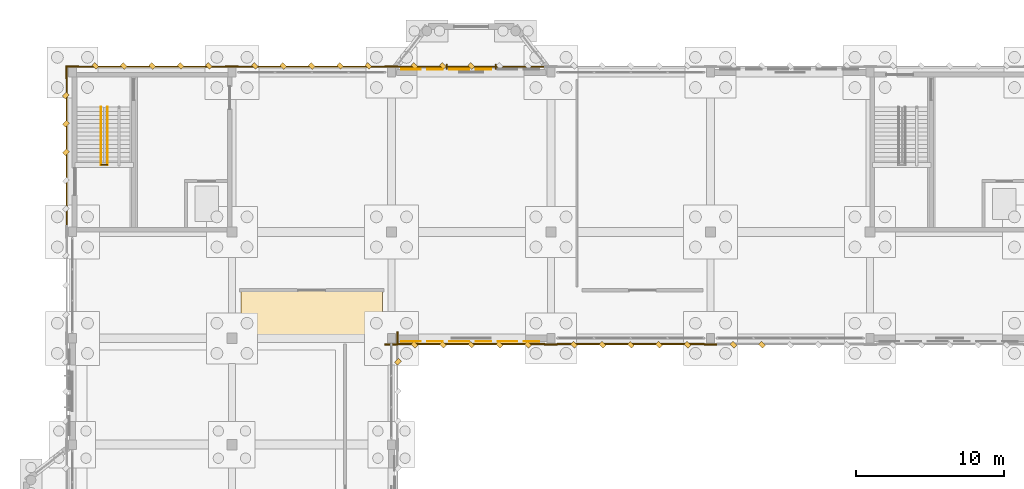
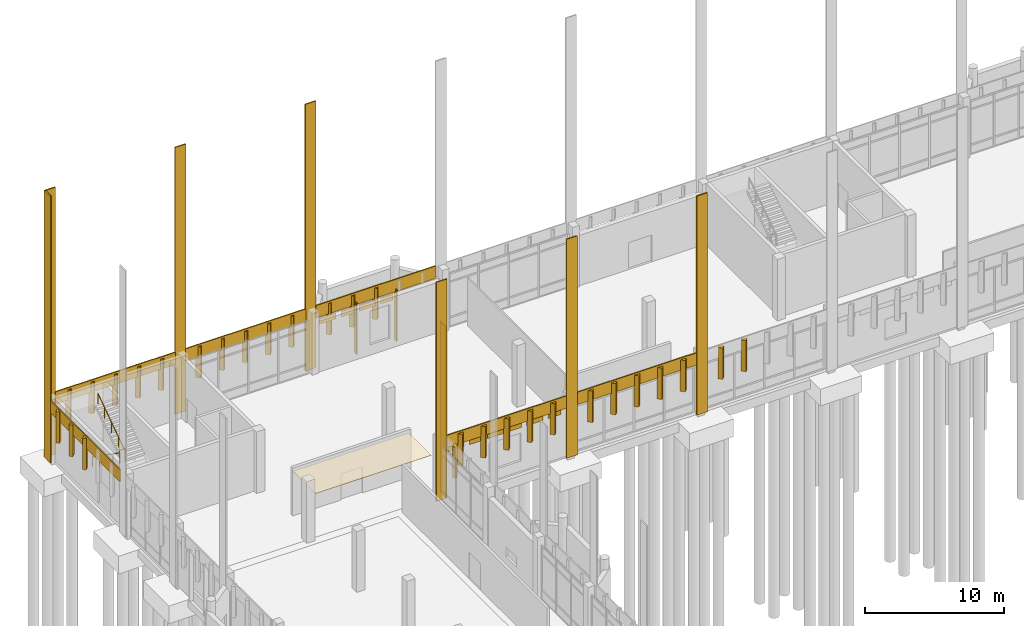
# One storey, part 101 of 109: 56 coverings, 3 railings.
"""IFC4 building model written with IfcOpenShell, lengths in metres."""

from ifc_helpers import new_model, si_unit, direction, frame, origin, origin_2d, place, context, subcontext, project, spatial, polyline, rectangle, circle, outline, extrude, material, layer, layer_set, type_object, element, save


model = new_model("IFC4")

# Units and contexts
model_context = context("Model", 3, precision=1e-05, world=origin(), true_north=direction((0.0, 1.0)))
body_context = subcontext(model_context, "Body", "Model", "MODEL_VIEW")
ifc_project = project(units=[si_unit("LENGTHUNIT", "METRE"), si_unit("AREAUNIT", "SQUARE_METRE"), si_unit("VOLUMEUNIT", "CUBIC_METRE"), si_unit("PLANEANGLEUNIT", "RADIAN"), si_unit("MASSUNIT", "GRAM", prefix="KILO")], contexts=[model_context])

# Site, building, storey
site_placement = place(None, origin())
site = spatial("IfcSite", under=ifc_project, at=site_placement, CompositionType="ELEMENT")
building_placement = place(site_placement, origin())
building = spatial("IfcBuilding", under=site, at=building_placement, Name="Lusvemor Sports Hall", CompositionType="ELEMENT")
storey_placement = place(building_placement, origin())
storey = spatial("IfcBuildingStorey", under=building, at=storey_placement, Name="L00", CompositionType="ELEMENT", Elevation=0.0)

# Coverings
ifc_material_1 = material(Name="Precast granite-faced Concrete C40/50 architectural cladding", Category="masonry")
ifc_layer_1 = layer(ifc_material_1, 0.055908203125)
ifc_layer_set_1 = layer_set([ifc_layer_1], Name="Precast granite-faced Concrete C40/50 architectural cladding")
covering_type_1 = type_object("IfcCoveringType", Name="CLAD_RELIEF_FRIEZE", PredefinedType="CLADDING", material=ifc_layer_set_1)
for number, where, z_axis, x_axis, name in (
    (1, (0.0, 115.610107421875, 0.0), (0.0, 0.0, 1.0), (1.0, 0.0, 0.0), "Art Nouveau Pilaster Cladding Casing 489"),
    (2, (10.800048828125, 115.610107421875, 0.0), (0.0, 0.0, 1.0), (1.0, 0.0, 0.0), "Art Nouveau Pilaster Cladding Casing 490"),
    (3, (21.60009765625, 115.610107421875, 0.0), (0.0, 0.0, 1.0), (1.0, 0.0, 0.0), "Art Nouveau Pilaster Cladding Casing 491"),
):
    element("IfcCovering", number, at=place(storey_placement, frame(where, z_axis=z_axis, x_axis=x_axis)), inside=storey, type_object=covering_type_1, Name=name, PredefinedType="CLADDING", context=body_context, shape_type="SweptSolid", body=[
        extrude(rectangle(XDim=0.8798828125, YDim=0.10009765625, at=origin_2d()), origin(), (0.0, 0.0, 1.0), 23.39990234375),
    ])
covering_1_placement = place(storey_placement, frame((-0.409912109375, 115.199951171875, 0.0), z_axis=(0.0, 0.0, 1.0), x_axis=(1.0, 0.0, 0.0)))
element("IfcCovering", 4, at=covering_1_placement, inside=storey, type_object=covering_type_1, Name="Art Nouveau Pilaster Cladding Casing 1099", PredefinedType="CLADDING", context=body_context, shape_type="SweptSolid", body=[
    extrude(rectangle(XDim=0.10009765625, YDim=0.8798828125, at=origin_2d()), origin(), (0.0, 0.0, 1.0), 23.39990234375),
])
for number, where, z_axis, x_axis, name in (
    (5, (21.60009765625, 96.7900390625, 0.0), (0.0, 0.0, 1.0), (1.0, 0.0, 0.0), "Art Nouveau Pilaster Cladding Casing 1151"),
    (6, (32.39990234375, 96.7900390625, 0.0), (0.0, 0.0, 1.0), (1.0, 0.0, 0.0), "Art Nouveau Pilaster Cladding Casing 1152"),
    (7, (43.199951171875, 96.7900390625, 0.0), (0.0, 0.0, 1.0), (1.0, 0.0, 0.0), "Art Nouveau Pilaster Cladding Casing 1153"),
):
    element("IfcCovering", number, at=place(storey_placement, frame(where, z_axis=z_axis, x_axis=x_axis)), inside=storey, type_object=covering_type_1, Name=name, PredefinedType="CLADDING", context=body_context, shape_type="SweptSolid", body=[
        extrude(rectangle(XDim=0.8798828125, YDim=0.10009765625, at=origin_2d()), origin(), (0.0, 0.0, 1.0), 19.199951171875),
    ])
covering_2_placement = place(storey_placement, frame((22.010009765625, 97.199951171875, 0.0), z_axis=(0.0, 0.0, 1.0), x_axis=(1.0, 0.0, 0.0)))
element("IfcCovering", 8, at=covering_2_placement, inside=storey, type_object=covering_type_1, Name="Art Nouveau Pilaster Cladding Casing 1386", PredefinedType="CLADDING", context=body_context, shape_type="SweptSolid", body=[
    extrude(rectangle(XDim=0.10009765625, YDim=0.8798828125, at=origin_2d()), origin(), (0.0, 0.0, 1.0), 15.0),
])
ifc_material_2 = material(Name="Emerald polychrome glazed ceramic cladding on Concrete C40/50 backing", Category="concrete")
ifc_layer_2 = layer(ifc_material_2, 0.0458984375)
ifc_layer_set_2 = layer_set([ifc_layer_2], Name="Emerald polychrome glazed ceramic cladding on Concrete C40/50 backing")
covering_type_2 = type_object("IfcCoveringType", Name="CLAD_WAVE_EMERALD", PredefinedType="CLADDING", material=ifc_layer_set_2)
for number, where, z_axis, x_axis, name in (
    (9, (22.916748046875, 115.41796875, 3.8349609375), (0.0, 0.0, 1.0), (1.0, 0.0, 0.0), "Art Nouveau Patterned Cladding PS-EW-L00-N-1-2-1"),
    (10, (26.183349609375, 115.41796875, 3.8349609375), (0.0, 0.0, 1.0), (1.0, 0.0, 0.0), "Art Nouveau Patterned Cladding PS-EW-L00-N-1-2-3"),
    (11, (22.916748046875, 96.98193359375, 3.8349609375), (0.0, 0.0, 1.0), (1.0, 0.0, 0.0), "Art Nouveau Patterned Cladding PS-EW-L00-S-3-0-1"),
    (12, (26.183349609375, 96.98193359375, 3.8349609375), (0.0, 0.0, 1.0), (1.0, 0.0, 0.0), "Art Nouveau Patterned Cladding PS-EW-L00-S-3-0-3"),
    (13, (29.449951171875, 96.98193359375, 3.8349609375), (0.0, 0.0, 1.0), (1.0, 0.0, 0.0), "Art Nouveau Patterned Cladding PS-EW-L00-S-3-0-5"),
):
    element("IfcCovering", number, at=place(storey_placement, frame(where, z_axis=z_axis, x_axis=x_axis)), inside=storey, type_object=covering_type_2, Name=name, PredefinedType="CLADDING", context=body_context, shape_type="SweptSolid", body=[
        extrude(rectangle(XDim=1.33935546875, YDim=0.0458984375, at=origin_2d()), origin(), (0.0, 0.0, 1.0), 0.510009765625),
    ])
for number, where, z_axis, x_axis, name in (
    (14, (3.47998046875, 115.639892578125, 2.550048828125), (0.0, 0.0, 1.0), (0.707106781187, 0.707106781187, 0.0), "Patterned Diamond Cladding Rib 498"),
    (15, (7.320068359375, 115.639892578125, 2.550048828125), (0.0, 0.0, 1.0), (0.707106781187, 0.707106781187, 0.0), "Patterned Diamond Cladding Rib 500"),
    (16, (14.280029296875, 115.639892578125, 2.550048828125), (0.0, 0.0, 1.0), (0.707106781187, 0.707106781187, 0.0), "Patterned Diamond Cladding Rib 528"),
    (17, (18.1201171875, 115.639892578125, 2.550048828125), (0.0, 0.0, 1.0), (0.707106781187, 0.707106781187, 0.0), "Patterned Diamond Cladding Rib 530"),
    (18, (25.080078125, 115.639892578125, 2.550048828125), (0.0, 0.0, 1.0), (0.707106781187, 0.707106781187, 0.0), "Patterned Diamond Cladding Rib 558"),
):
    element("IfcCovering", number, at=place(storey_placement, frame(where, z_axis=z_axis, x_axis=x_axis)), inside=storey, type_object=covering_type_2, Name=name, PredefinedType="CLADDING", context=body_context, shape_type="SweptSolid", body=[
        extrude(rectangle(XDim=0.280029296875, YDim=0.3798828125, at=origin_2d()), origin(), (0.0, 0.0, 1.0), 2.75),
    ])
covering_3_placement = place(storey_placement, frame((-0.43994140625, 111.719970703125, 2.550048828125), z_axis=(0.0, 0.0, 1.0), x_axis=(0.707106781187, 0.707106781187, 0.0)))
element("IfcCovering", 19, at=covering_3_placement, inside=storey, type_object=covering_type_2, Name="Patterned Diamond Cladding Rib 1124", PredefinedType="CLADDING", context=body_context, shape_type="SweptSolid", body=[
    extrude(rectangle(XDim=0.3798828125, YDim=0.280029296875, at=origin_2d()), origin(), (0.0, 0.0, 1.0), 2.75),
])
for number, where, z_axis, x_axis, name in (
    (20, (25.080078125, 96.760009765625, 2.550048828125), (0.0, 0.0, 1.0), (0.707106781187, 0.707106781187, 0.0), "Patterned Diamond Cladding Rib 1164"),
    (21, (28.919921875, 96.760009765625, 2.550048828125), (0.0, 0.0, 1.0), (0.707106781187, 0.707106781187, 0.0), "Patterned Diamond Cladding Rib 1166"),
    (22, (35.8798828125, 96.760009765625, 2.550048828125), (0.0, 0.0, 1.0), (0.707106781187, 0.707106781187, 0.0), "Patterned Diamond Cladding Rib 1188"),
    (23, (39.719970703125, 96.760009765625, 2.550048828125), (0.0, 0.0, 1.0), (0.707106781187, 0.707106781187, 0.0), "Patterned Diamond Cladding Rib 1190"),
    (24, (46.679931640625, 96.760009765625, 2.550048828125), (0.0, 0.0, 1.0), (0.707106781187, 0.707106781187, 0.0), "Patterned Diamond Cladding Rib 1212"),
):
    element("IfcCovering", number, at=place(storey_placement, frame(where, z_axis=z_axis, x_axis=x_axis)), inside=storey, type_object=covering_type_2, Name=name, PredefinedType="CLADDING", context=body_context, shape_type="SweptSolid", body=[
        extrude(rectangle(XDim=0.280029296875, YDim=0.3798828125, at=origin_2d()), origin(), (0.0, 0.0, 1.0), 2.75),
    ])
ifc_material_3 = material(Name="Warm terracotta Art Nouveau ceramic cladding on Concrete C40/50 backing", Category="masonry")
ifc_layer_3 = layer(ifc_material_3, 0.0380859375)
ifc_layer_set_3 = layer_set([ifc_layer_3], Name="Warm terracotta Art Nouveau ceramic cladding on Concrete C40/50 backing")
covering_type_3 = type_object("IfcCoveringType", Name="CLAD_WAVE_OCHRE", PredefinedType="CLADDING", material=ifc_layer_set_3)
for number, where, z_axis, x_axis, name in (
    (25, (24.550048828125, 115.4140625, 3.8349609375), (0.0, 0.0, 1.0), (1.0, 0.0, 0.0), "Art Nouveau Patterned Cladding PS-EW-L00-N-1-2-2"),
    (26, (27.816650390625, 115.4140625, 3.8349609375), (0.0, 0.0, 1.0), (1.0, 0.0, 0.0), "Art Nouveau Patterned Cladding PS-EW-L00-N-1-2-4"),
    (27, (24.550048828125, 96.986083984375, 3.8349609375), (0.0, 0.0, 1.0), (1.0, 0.0, 0.0), "Art Nouveau Patterned Cladding PS-EW-L00-S-3-0-2"),
    (28, (27.816650390625, 96.986083984375, 3.8349609375), (0.0, 0.0, 1.0), (1.0, 0.0, 0.0), "Art Nouveau Patterned Cladding PS-EW-L00-S-3-0-4"),
    (29, (31.083251953125, 96.986083984375, 3.8349609375), (0.0, 0.0, 1.0), (1.0, 0.0, 0.0), "Art Nouveau Patterned Cladding PS-EW-L00-S-3-0-6"),
):
    element("IfcCovering", number, at=place(storey_placement, frame(where, z_axis=z_axis, x_axis=x_axis)), inside=storey, type_object=covering_type_3, Name=name, PredefinedType="CLADDING", context=body_context, shape_type="SweptSolid", body=[
        extrude(rectangle(XDim=1.04541015625, YDim=0.0380859375, at=origin_2d()), origin(), (0.0, 0.0, 1.0), 0.510009765625),
    ])
for number, where, z_axis, x_axis, name in (
    (30, (5.39990234375, 115.590087890625, 4.3798828125), (0.0, 0.0, 1.0), (1.0, 0.0, 0.0), "Art Nouveau Spandrel Cornice 496"),
    (31, (16.199951171875, 115.590087890625, 4.3798828125), (0.0, 0.0, 1.0), (1.0, 0.0, 0.0), "Art Nouveau Spandrel Cornice 526"),
    (32, (27.0, 115.590087890625, 4.3798828125), (0.0, 0.0, 1.0), (1.0, 0.0, 0.0), "Art Nouveau Spandrel Cornice 556"),
):
    element("IfcCovering", number, at=place(storey_placement, frame(where, z_axis=z_axis, x_axis=x_axis)), inside=storey, type_object=covering_type_3, Name=name, PredefinedType="CLADDING", context=body_context, shape_type="SweptSolid", body=[
        extrude(rectangle(XDim=9.97998046875, YDim=0.090087890625, at=origin_2d()), origin(), (0.0, 0.0, 1.0), 1.080078125),
    ])
covering_4_placement = place(storey_placement, frame((-0.389892578125, 109.800048828125, 4.3798828125), z_axis=(0.0, 0.0, 1.0), x_axis=(1.0, 0.0, 0.0)))
element("IfcCovering", 33, at=covering_4_placement, inside=storey, type_object=covering_type_3, Name="Art Nouveau Spandrel Cornice 1120", PredefinedType="CLADDING", context=body_context, shape_type="SweptSolid", body=[
    extrude(rectangle(XDim=0.090087890625, YDim=9.97998046875, at=origin_2d()), origin(), (0.0, 0.0, 1.0), 1.080078125),
])
for number, where, z_axis, x_axis, name in (
    (34, (27.0, 96.81005859375, 4.3798828125), (0.0, 0.0, 1.0), (1.0, 0.0, 0.0), "Art Nouveau Spandrel Cornice 1162"),
    (35, (37.800048828125, 96.81005859375, 4.3798828125), (0.0, 0.0, 1.0), (1.0, 0.0, 0.0), "Art Nouveau Spandrel Cornice 1186"),
):
    element("IfcCovering", number, at=place(storey_placement, frame(where, z_axis=z_axis, x_axis=x_axis)), inside=storey, type_object=covering_type_3, Name=name, PredefinedType="CLADDING", context=body_context, shape_type="SweptSolid", body=[
        extrude(rectangle(XDim=9.97998046875, YDim=0.090087890625, at=origin_2d()), origin(), (0.0, 0.0, 1.0), 1.080078125),
    ])
ifc_material_4 = material(Name="Perforated mineral-fibre acoustic suspended ceiling")
ifc_layer_4 = layer(ifc_material_4, 0.033935546875)
ifc_layer_set_4 = layer_set([ifc_layer_4], Name="Perforated mineral-fibre acoustic suspended ceiling")
covering_type_4 = type_object("IfcCoveringType", Name="COV_CEIL_ACOUST", PredefinedType="CEILING", material=ifc_layer_set_4)
covering_5_placement = place(storey_placement, frame((0.0, 0.0, 3.800048828125)))
element("IfcCovering", 36, at=covering_5_placement, inside=storey, type_object=covering_type_4, Name="Acoustic Ceiling 1", PredefinedType="CEILING", context=body_context, shape_type="SweptSolid", body=[
    extrude(outline(polyline([(11.39990234375, 97.199951171875), (21.0, 97.199951171875), (21.0, 100.449951171875), (11.39990234375, 100.449951171875), (11.39990234375, 97.199951171875)])), origin(), (0.0, 0.0, 1.0), 0.033935546875),
])
ifc_material_5 = material(Name="Emerald polychrome glazed ceramic cladding on Concrete C40/50 backing", Category="concrete")
ifc_layer_5 = layer(ifc_material_5, 0.35009765625)
ifc_layer_set_5 = layer_set([ifc_layer_5], Name="Emerald polychrome glazed ceramic cladding on Concrete C40/50 backing")
covering_type_5 = type_object("IfcCoveringType", Name="FIN_BRISE_CER_350", PredefinedType="MOLDING", material=ifc_layer_set_5)
for number, where, z_axis, x_axis, name in (
    (37, (25.340087890625, 115.580078125, 0.10009765625), (0.0, 0.0, 1.0), (1.0, 0.0, 0.0), "Wing Brise-Soleil Fin L00-N-1-2-1"),
    (38, (28.659912109375, 115.580078125, 0.10009765625), (0.0, 0.0, 1.0), (1.0, 0.0, 0.0), "Wing Brise-Soleil Fin L00-N-1-2-2"),
):
    element("IfcCovering", number, at=place(storey_placement, frame(where, z_axis=z_axis, x_axis=x_axis)), inside=storey, type_object=covering_type_5, Name=name, PredefinedType="MOLDING", context=body_context, shape_type="SweptSolid", body=[
        extrude(rectangle(XDim=0.080078125, YDim=0.35009765625, at=origin_2d()), origin(), (0.0, 0.0, 1.0), 4.52001953125),
    ])
ifc_material_6 = material(Name="Warm terracotta Art Nouveau ceramic cladding on Concrete C40/50 backing", Category="masonry")
ifc_layer_6 = layer(ifc_material_6, 0.449951171875)
ifc_layer_set_6 = layer_set([ifc_layer_6], Name="Warm terracotta Art Nouveau ceramic cladding on Concrete C40/50 backing")
covering_type_6 = type_object("IfcCoveringType", Name="FIN_BRISE_CER_450", PredefinedType="MOLDING", material=ifc_layer_set_6)
for number, where, z_axis, x_axis, name in (
    (39, (1.56005859375, 115.639892578125, 2.550048828125), (0.0, 0.0, 1.0), (0.707106781187, 0.707106781187, 0.0), "Patterned Diamond Cladding Rib 497"),
    (40, (5.39990234375, 115.639892578125, 2.550048828125), (0.0, 0.0, 1.0), (0.707106781187, 0.707106781187, 0.0), "Patterned Diamond Cladding Rib 499"),
    (41, (9.239990234375, 115.639892578125, 2.550048828125), (0.0, 0.0, 1.0), (0.707106781187, 0.707106781187, 0.0), "Patterned Diamond Cladding Rib 501"),
    (42, (12.360107421875, 115.639892578125, 2.550048828125), (0.0, 0.0, 1.0), (0.707106781187, 0.707106781187, 0.0), "Patterned Diamond Cladding Rib 527"),
    (43, (16.199951171875, 115.639892578125, 2.550048828125), (0.0, 0.0, 1.0), (0.707106781187, 0.707106781187, 0.0), "Patterned Diamond Cladding Rib 529"),
    (44, (20.0400390625, 115.639892578125, 2.550048828125), (0.0, 0.0, 1.0), (0.707106781187, 0.707106781187, 0.0), "Patterned Diamond Cladding Rib 531"),
    (45, (23.159912109375, 115.639892578125, 2.550048828125), (0.0, 0.0, 1.0), (0.707106781187, 0.707106781187, 0.0), "Patterned Diamond Cladding Rib 557"),
    (46, (27.0, 115.639892578125, 2.550048828125), (0.0, 0.0, 1.0), (0.707106781187, 0.707106781187, 0.0), "Patterned Diamond Cladding Rib 559"),
):
    element("IfcCovering", number, at=place(storey_placement, frame(where, z_axis=z_axis, x_axis=x_axis)), inside=storey, type_object=covering_type_6, Name=name, PredefinedType="MOLDING", context=body_context, shape_type="SweptSolid", body=[
        extrude(rectangle(XDim=0.280029296875, YDim=0.3798828125, at=origin_2d()), origin(), (0.0, 0.0, 1.0), 2.75),
    ])
for number, where, z_axis, x_axis, name in (
    (47, (-0.43994140625, 109.800048828125, 2.550048828125), (0.0, 0.0, 1.0), (0.707106781187, 0.707106781187, 0.0), "Patterned Diamond Cladding Rib 1123"),
    (48, (-0.43994140625, 113.639892578125, 2.550048828125), (0.0, 0.0, 1.0), (0.707106781187, 0.707106781187, 0.0), "Patterned Diamond Cladding Rib 1125"),
):
    element("IfcCovering", number, at=place(storey_placement, frame(where, z_axis=z_axis, x_axis=x_axis)), inside=storey, type_object=covering_type_6, Name=name, PredefinedType="MOLDING", context=body_context, shape_type="SweptSolid", body=[
        extrude(rectangle(XDim=0.3798828125, YDim=0.280029296875, at=origin_2d()), origin(), (0.0, 0.0, 1.0), 2.75),
    ])
for number, where, z_axis, x_axis, name in (
    (49, (23.159912109375, 96.760009765625, 2.550048828125), (0.0, 0.0, 1.0), (0.707106781187, 0.707106781187, 0.0), "Patterned Diamond Cladding Rib 1163"),
    (50, (27.0, 96.760009765625, 2.550048828125), (0.0, 0.0, 1.0), (0.707106781187, 0.707106781187, 0.0), "Patterned Diamond Cladding Rib 1165"),
    (51, (30.840087890625, 96.760009765625, 2.550048828125), (0.0, 0.0, 1.0), (0.707106781187, 0.707106781187, 0.0), "Patterned Diamond Cladding Rib 1167"),
    (52, (33.9599609375, 96.760009765625, 2.550048828125), (0.0, 0.0, 1.0), (0.707106781187, 0.707106781187, 0.0), "Patterned Diamond Cladding Rib 1187"),
    (53, (37.800048828125, 96.760009765625, 2.550048828125), (0.0, 0.0, 1.0), (0.707106781187, 0.707106781187, 0.0), "Patterned Diamond Cladding Rib 1189"),
    (54, (41.639892578125, 96.760009765625, 2.550048828125), (0.0, 0.0, 1.0), (0.707106781187, 0.707106781187, 0.0), "Patterned Diamond Cladding Rib 1191"),
    (55, (44.760009765625, 96.760009765625, 2.550048828125), (0.0, 0.0, 1.0), (0.707106781187, 0.707106781187, 0.0), "Patterned Diamond Cladding Rib 1211"),
):
    element("IfcCovering", number, at=place(storey_placement, frame(where, z_axis=z_axis, x_axis=x_axis)), inside=storey, type_object=covering_type_6, Name=name, PredefinedType="MOLDING", context=body_context, shape_type="SweptSolid", body=[
        extrude(rectangle(XDim=0.280029296875, YDim=0.3798828125, at=origin_2d()), origin(), (0.0, 0.0, 1.0), 2.75),
    ])
covering_6_placement = place(storey_placement, frame((22.0400390625, 95.60009765625, 2.550048828125), z_axis=(0.0, 0.0, 1.0), x_axis=(0.707106781187, 0.707106781187, 0.0)))
element("IfcCovering", 56, at=covering_6_placement, inside=storey, type_object=covering_type_6, Name="Patterned Diamond Cladding Rib 1462", PredefinedType="MOLDING", context=body_context, shape_type="SweptSolid", body=[
    extrude(rectangle(XDim=0.3798828125, YDim=0.280029296875, at=origin_2d()), origin(), (0.0, 0.0, 1.0), 2.75),
])

# Railings
ifc_material_7 = material(Name="Bronze-finished wrought-steel Art Nouveau balustrade", Category="steel")
railing_type_1 = type_object("IfcRailingType", Name="RAIL_HANDRAIL_092", PredefinedType="HANDRAIL", material=ifc_material_7)
railing_1_placement = place(storey_placement, frame((1.93994140625, 112.85009765625, 0.0)))
element("IfcRailing", 57, at=railing_1_placement, inside=storey, type_object=railing_type_1, Name="Stair STR-C1-L00 Handrail F1", PredefinedType="HANDRAIL", context=body_context, shape_type="SweptSolid", body=[
    extrude(circle(Radius=0.02392578125, at=origin_2d()), frame((0.0, 0.0, 0.89599609375), z_axis=(0.0, -0.823567234665, 0.567218661528), x_axis=(1.0, 0.0, 0.0)), (0.0, 0.0, 1.0), 4.760009765625),
    extrude(circle(Radius=0.02099609375, at=origin_2d()), origin(), (0.0, 0.0, 1.0), 0.871826171875),
    extrude(circle(Radius=0.02099609375, at=origin_2d()), frame((0.0, -0.97998046875, 0.675048828125)), (0.0, 0.0, 1.0), 0.871826171875),
    extrude(circle(Radius=0.02099609375, at=origin_2d()), frame((0.0, -1.9599609375, 1.35009765625)), (0.0, 0.0, 1.0), 0.871826171875),
    extrude(circle(Radius=0.02099609375, at=origin_2d()), frame((0.0, -2.940185546875, 2.02490234375)), (0.0, 0.0, 1.0), 0.871826171875),
    extrude(circle(Radius=0.02099609375, at=origin_2d()), frame((0.0, -3.920166015625, 2.699951171875)), (0.0, 0.0, 1.0), 0.871826171875),
])
railing_2_placement = place(storey_placement, frame((2.3798828125, 108.929931640625, 2.699951171875)))
element("IfcRailing", 58, at=railing_2_placement, inside=storey, type_object=railing_type_1, Name="Stair STR-C1-L00 Handrail F2", PredefinedType="HANDRAIL", context=body_context, shape_type="SweptSolid", body=[
    extrude(circle(Radius=0.02392578125, at=origin_2d()), frame((0.0, 0.0, 0.89599609375), z_axis=(0.0, 0.823567234665, 0.567218661528), x_axis=(-1.0, 0.0, 0.0)), (0.0, 0.0, 1.0), 4.760009765625),
    extrude(circle(Radius=0.02099609375, at=origin_2d()), origin(), (0.0, 0.0, 1.0), 0.871826171875),
    extrude(circle(Radius=0.02099609375, at=origin_2d()), frame((0.0, 0.97998046875, 0.675048828125)), (0.0, 0.0, 1.0), 0.871826171875),
    extrude(circle(Radius=0.02099609375, at=origin_2d()), frame((0.0, 1.9599609375, 1.35009765625)), (0.0, 0.0, 1.0), 0.871826171875),
    extrude(circle(Radius=0.02099609375, at=origin_2d()), frame((0.0, 2.940185546875, 2.02490234375)), (0.0, 0.0, 1.0), 0.871826171875),
    extrude(circle(Radius=0.02099609375, at=origin_2d()), frame((0.0, 3.920166015625, 2.699951171875)), (0.0, 0.0, 1.0), 0.871826171875),
])
ifc_material_8 = material(Name="Bronze-finished wrought-steel Art Nouveau balustrade", Category="steel")
railing_type_2 = type_object("IfcRailingType", Name="RAIL_STAIR_GUARD_112", PredefinedType="GUARDRAIL", material=ifc_material_8)
railing_3_placement = place(storey_placement, frame((1.93994140625, 108.949951171875, 2.699951171875)))
element("IfcRailing", 59, at=railing_3_placement, inside=storey, type_object=railing_type_2, Name="Stair STR-C1-L00 Mid Well Guard", PredefinedType="GUARDRAIL", context=body_context, shape_type="SweptSolid", body=[
    extrude(circle(Radius=0.02392578125, at=origin_2d()), frame((0.0, 0.0, 1.09619140625), z_axis=(1.0, 0.0, 0.0), x_axis=(0.0, 1.0, 0.0)), (0.0, 0.0, 1.0), 0.43994140625),
    extrude(circle(Radius=0.02099609375, at=origin_2d()), origin(), (0.0, 0.0, 1.0), 1.072021484375),
    extrude(circle(Radius=0.02099609375, at=origin_2d()), frame((0.43994140625, 0.0, 0.0)), (0.0, 0.0, 1.0), 1.072021484375),
])

save(model, "model.ifc")
